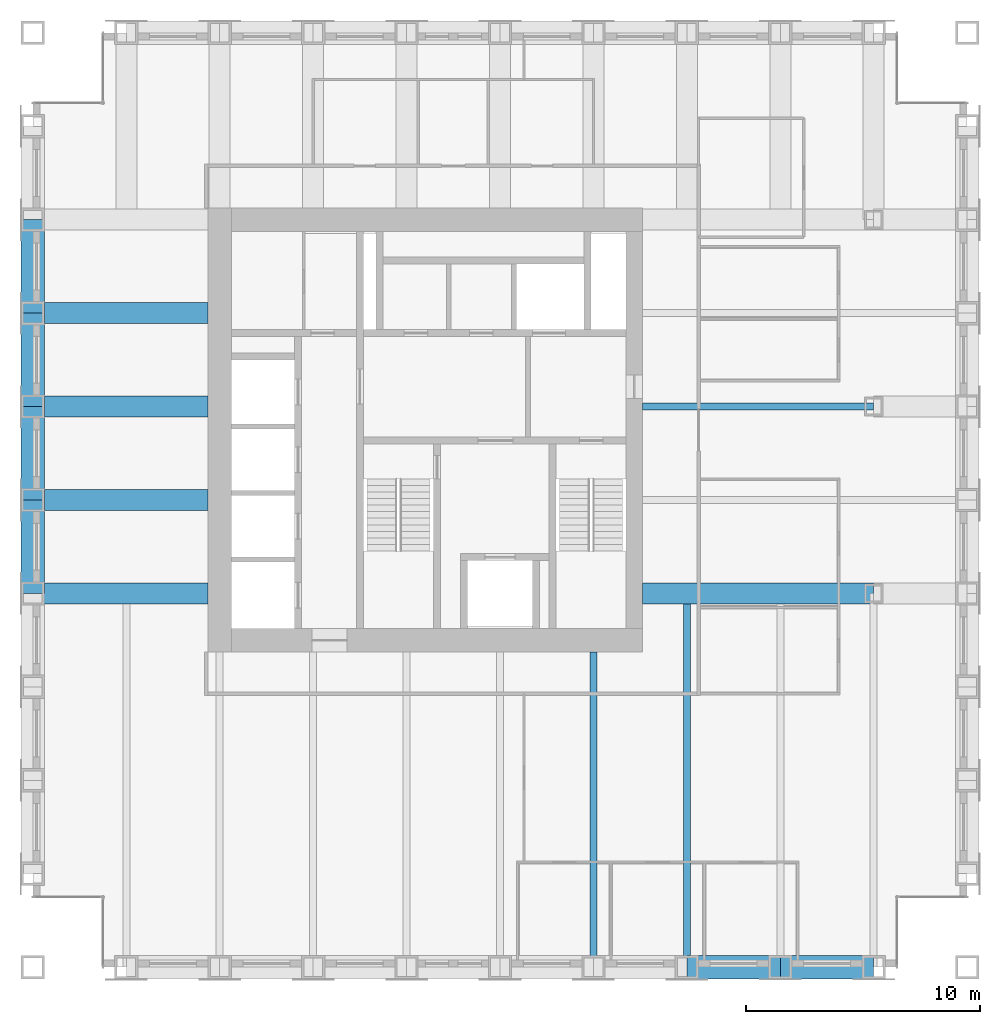
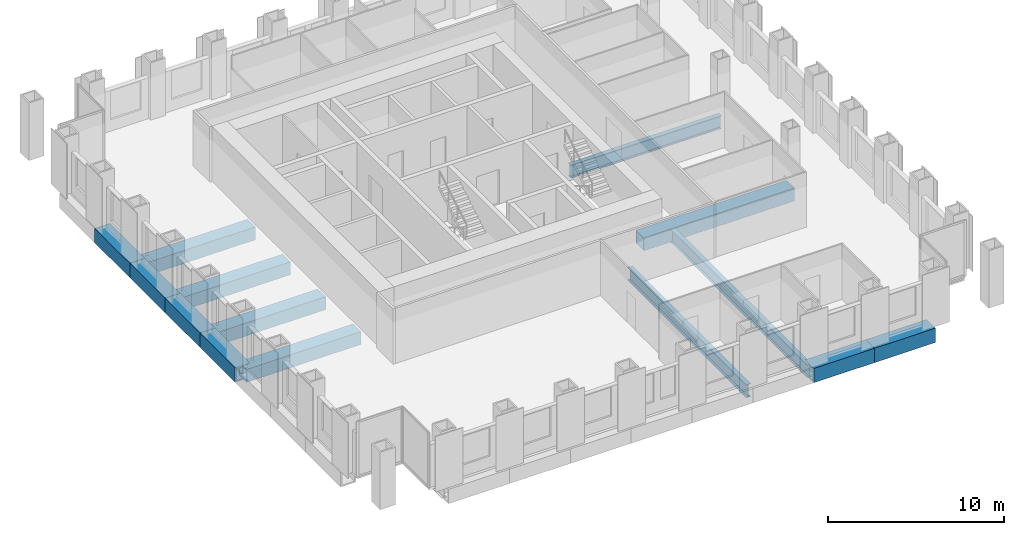
# One storey, part 3 of 11: 14 beams.
"""IFC4 building model written with IfcOpenShell, lengths in metres."""

from ifc_helpers import new_model, si_unit, direction, frame, origin, origin_2d, place, context, subcontext, project, spatial, hollow_rectangle, i_section, extrude, material, material_profile, profile_set, type_object, element, save


model = new_model("IFC4")

# Units and contexts
model_context = context("Model", 3, precision=1e-05, world=origin(), true_north=direction((0.0, 1.0)))
body_context = subcontext(model_context, "Body", "Model", "MODEL_VIEW")
ifc_project = project(units=[si_unit("LENGTHUNIT", "METRE"), si_unit("AREAUNIT", "SQUARE_METRE"), si_unit("VOLUMEUNIT", "CUBIC_METRE"), si_unit("PLANEANGLEUNIT", "RADIAN"), si_unit("MASSUNIT", "GRAM", prefix="KILO")], contexts=[model_context])

# Site, building, storey
site_placement = place(None, origin())
site = spatial("IfcSite", under=ifc_project, at=site_placement, CompositionType="ELEMENT")
building_placement = place(site_placement, origin())
building = spatial("IfcBuilding", under=site, at=building_placement, Name="Rimbunsela Tower", CompositionType="ELEMENT")
storey_placement = place(building_placement, frame((0.0, 0.0, 246.199951171875)))
storey = spatial("IfcBuildingStorey", under=building, at=storey_placement, Name="L59", CompositionType="ELEMENT", Elevation=246.199951171875)

# Beams
ifc_material_1 = material(Name="Steel BJ 55 (fy 410 MPa)", Category="steel")
ifc_material_profile_1 = material_profile(ifc_material_1, hollow_rectangle(XDim=1.0, YDim=1.0, WallThickness=0.10009765625, at=origin_2d()), Name="BOX 1000x1000x100")
ifc_profile_set_1 = profile_set([ifc_material_profile_1], Name="Steel BJ 55 (fy 410 MPa)")
beam_type_1 = type_object("IfcBeamType", Name="Beam BOX 1000x1000x100", PredefinedType="BEAM", material=ifc_profile_set_1)
for number, where, z_axis, x_axis, name in (
    (1, (10.0, 20.0, -0.64990234375), (0.0, 1.0, 0.0), (-1.0, 0.0, 0.0), "Beam B3 L59"),
    (2, (10.0, 24.0, -0.64990234375), (0.0, 1.0, 0.0), (-1.0, 0.0, 0.0), "Beam B3 L59"),
    (3, (10.0, 28.0, -0.64990234375), (0.0, 1.0, 0.0), (-1.0, 0.0, 0.0), "Beam B3 L59"),
    (4, (10.0, 32.0, -0.64990234375), (0.0, 1.0, 0.0), (-1.0, 0.0, 0.0), "Beam B3 L59"),
    (5, (38.0, 4.0, -0.64990234375), (1.0, 0.0, 0.0), (0.0, 1.0, 0.0), "Beam B3 L59"),
    (6, (42.0, 4.0, -0.64990234375), (1.0, 0.0, 0.0), (0.0, 1.0, 0.0), "Beam B3 L59"),
):
    element("IfcBeam", number, at=place(storey_placement, frame(where, z_axis=z_axis, x_axis=x_axis)), inside=storey, type_object=beam_type_1, Name=name, PredefinedType="BEAM", context=body_context, shape_type="SweptSolid", body=[
        extrude(hollow_rectangle(XDim=1.0, YDim=1.0, WallThickness=0.10009765625, at=origin_2d()), origin(), (0.0, 0.0, 1.0), 4.0),
    ])
ifc_material_2 = material(Name="Steel BJ 55 (fy 410 MPa)", Category="steel")
ifc_material_profile_2 = material_profile(ifc_material_2, hollow_rectangle(XDim=0.89990234375, YDim=0.89990234375, WallThickness=0.06005859375, at=origin_2d()), Name="BOX 900x900x60")
ifc_profile_set_2 = profile_set([ifc_material_profile_2], Name="Steel BJ 55 (fy 410 MPa)")
beam_type_2 = type_object("IfcBeamType", Name="Beam BOX 900x900x60", PredefinedType="BEAM", material=ifc_profile_set_2)
for number, where, z_axis, x_axis, name in (
    (7, (10.0, 20.0, -0.599853515625), (1.0, 0.0, 0.0), (0.0, 1.0, 0.0), "Beam B1 L59"),
    (8, (10.0, 24.0, -0.599853515625), (1.0, 0.0, 0.0), (0.0, 1.0, 0.0), "Beam B1 L59"),
    (9, (10.0, 28.0, -0.599853515625), (1.0, 0.0, 0.0), (0.0, 1.0, 0.0), "Beam B1 L59"),
    (10, (10.0, 32.0, -0.599853515625), (1.0, 0.0, 0.0), (0.0, 1.0, 0.0), "Beam B1 L59"),
):
    element("IfcBeam", number, at=place(storey_placement, frame(where, z_axis=z_axis, x_axis=x_axis)), inside=storey, type_object=beam_type_2, Name=name, PredefinedType="BEAM", context=body_context, shape_type="SweptSolid", body=[
        extrude(hollow_rectangle(XDim=0.89990234375, YDim=0.89990234375, WallThickness=0.06005859375, at=origin_2d()), origin(), (0.0, 0.0, 1.0), 7.5),
    ])
beam_1_placement = place(storey_placement, frame((36.10009765625, 20.0, -0.599853515625), z_axis=(1.0, 0.0, 0.0), x_axis=(0.0, 1.0, 0.0)))
element("IfcBeam", 11, at=beam_1_placement, inside=storey, type_object=beam_type_2, Name="Beam B1 L59", PredefinedType="BEAM", context=body_context, shape_type="SweptSolid", body=[
    extrude(hollow_rectangle(XDim=0.89990234375, YDim=0.89990234375, WallThickness=0.06005859375, at=origin_2d()), origin(), (0.0, 0.0, 1.0), 9.89990234375),
])
ifc_material_3 = material(Name="Steel BJ 55 (fy 410 MPa)", Category="steel")
ifc_material_profile_3 = material_profile(ifc_material_3, i_section(OverallWidth=0.300048828125, OverallDepth=0.89990234375, WebThickness=0.01611328125, FlangeThickness=0.028076171875, FilletRadius=0.028076171875, at=origin_2d()), Name="H 900x300x16x28")
ifc_profile_set_3 = profile_set([ifc_material_profile_3], Name="Steel BJ 55 (fy 410 MPa)")
beam_type_3 = type_object("IfcBeamType", Name="Beam H 900x300x16x28", PredefinedType="BEAM", material=ifc_profile_set_3)
beam_2_placement = place(storey_placement, frame((34.0, 4.0, -0.599853515625), z_axis=(0.0, 1.0, 0.0), x_axis=(-1.0, 0.0, 0.0)))
element("IfcBeam", 12, at=beam_2_placement, inside=storey, type_object=beam_type_3, Name="Beam B2 L59", PredefinedType="BEAM", context=body_context, shape_type="SweptSolid", body=[
    extrude(i_section(OverallWidth=0.300048828125, OverallDepth=0.89990234375, WebThickness=0.01611328125, FlangeThickness=0.028076171875, FilletRadius=0.028076171875, at=origin_2d()), origin(), (0.0, 0.0, 1.0), 13.5),
])
beam_3_placement = place(storey_placement, frame((36.10009765625, 28.0, -0.599853515625), z_axis=(1.0, 0.0, 0.0), x_axis=(0.0, 1.0, 0.0)))
element("IfcBeam", 13, at=beam_3_placement, inside=storey, type_object=beam_type_3, Name="Beam B2 L59", PredefinedType="BEAM", context=body_context, shape_type="SweptSolid", body=[
    extrude(i_section(OverallWidth=0.300048828125, OverallDepth=0.89990234375, WebThickness=0.01611328125, FlangeThickness=0.028076171875, FilletRadius=0.028076171875, at=origin_2d()), origin(), (0.0, 0.0, 1.0), 9.89990234375),
])
beam_4_placement = place(storey_placement, frame((38.0, 4.0, -0.599853515625), z_axis=(0.0, 1.0, 0.0), x_axis=(-1.0, 0.0, 0.0)))
element("IfcBeam", 14, at=beam_4_placement, inside=storey, type_object=beam_type_3, Name="Beam B2 L59", PredefinedType="BEAM", context=body_context, shape_type="SweptSolid", body=[
    extrude(i_section(OverallWidth=0.300048828125, OverallDepth=0.89990234375, WebThickness=0.01611328125, FlangeThickness=0.028076171875, FilletRadius=0.028076171875, at=origin_2d()), origin(), (0.0, 0.0, 1.0), 15.550048828125),
])

save(model, "model.ifc")
